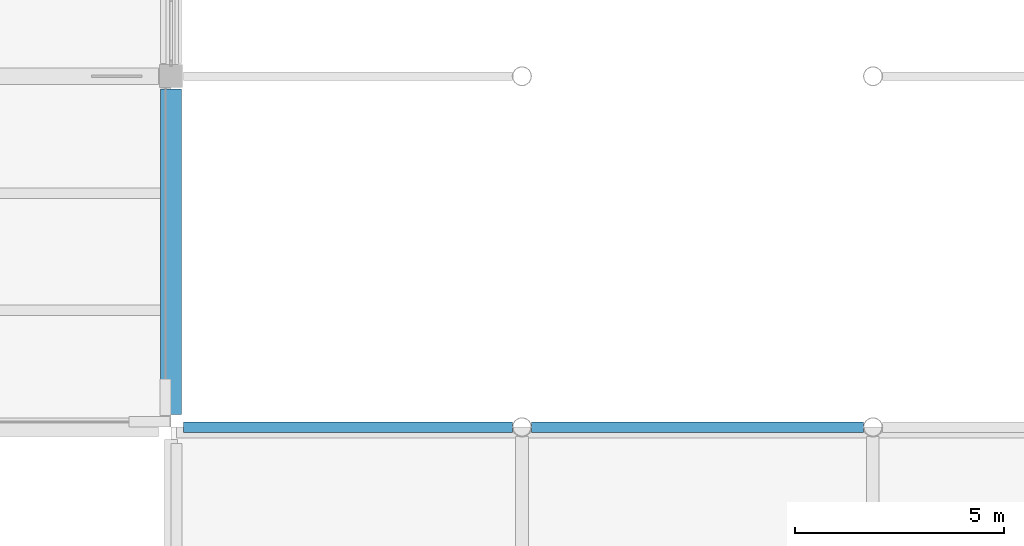
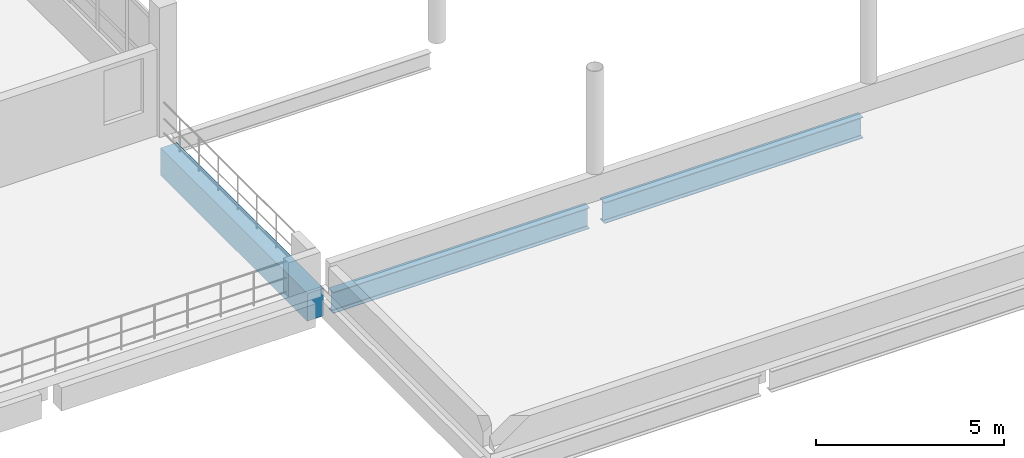
# One storey, part 24 of 130: 3 beams.
"""IFC4 building model written with IfcOpenShell, lengths in metres."""

from ifc_helpers import new_model, si_unit, direction, frame, origin, origin_2d, place, context, subcontext, project, spatial, rectangle, i_section, extrude, material, material_profile, profile_set, type_object, element, save


model = new_model("IFC4")

# Units and contexts
model_context = context("Model", 3, precision=1e-05, world=origin(), true_north=direction((0.0, 1.0)))
body_context = subcontext(model_context, "Body", "Model", "MODEL_VIEW")
ifc_project = project(units=[si_unit("LENGTHUNIT", "METRE"), si_unit("AREAUNIT", "SQUARE_METRE"), si_unit("VOLUMEUNIT", "CUBIC_METRE"), si_unit("PLANEANGLEUNIT", "RADIAN"), si_unit("MASSUNIT", "GRAM", prefix="KILO")], contexts=[model_context])

# Site, building, storey
site_placement = place(None, origin())
site = spatial("IfcSite", under=ifc_project, at=site_placement, CompositionType="ELEMENT")
building_placement = place(site_placement, origin())
building = spatial("IfcBuilding", under=site, at=building_placement, Name="Vireocrest Preparatory School", CompositionType="ELEMENT")
storey_placement = place(building_placement, frame((0.0, 0.0, 9.0)))
storey = spatial("IfcBuildingStorey", under=building, at=storey_placement, Name="L02", CompositionType="ELEMENT", Elevation=9.0)

# Beams
ifc_material_1 = material(Name="Structural steel ASTM A992 Grade 50", Category="steel")
ifc_material_profile_1 = material_profile(ifc_material_1, i_section(OverallWidth=0.25390625, OverallDepth=0.68408203125, WebThickness=0.012451171875, FlangeThickness=0.018798828125, FilletRadius=0.01806640625, at=origin_2d()), Name="W27X94")
ifc_profile_set_1 = profile_set([ifc_material_profile_1], Name="Structural steel ASTM A992 Grade 50")
beam_type_1 = type_object("IfcBeamType", Name="Bridge Primary Steel Girder W27X94", PredefinedType="BEAM", material=ifc_profile_set_1)
beam_1_placement = place(storey_placement, frame((67.5, 27.0, -0.56201171875), z_axis=(1.0, 0.0, 0.0), x_axis=(0.0, 1.0, 0.0)))
element("IfcBeam", 1, at=beam_1_placement, inside=storey, type_object=beam_type_1, Name="Primary Girder SB1 L02-0694", PredefinedType="BEAM", context=body_context, shape_type="SweptSolid", body=[
    extrude(i_section(OverallWidth=0.25390625, OverallDepth=0.68408203125, WebThickness=0.012451171875, FlangeThickness=0.018798828125, FilletRadius=0.01806640625, at=origin_2d()), origin(), (0.0, 0.0, 1.0), 7.871337890625),
])
beam_2_placement = place(storey_placement, frame((75.82861328125, 27.0, -0.56201171875), z_axis=(1.0, 0.0, 0.0), x_axis=(0.0, 1.0, 0.0)))
element("IfcBeam", 2, at=beam_2_placement, inside=storey, type_object=beam_type_1, Name="Primary Girder SB1 L02-0695", PredefinedType="BEAM", context=body_context, shape_type="SweptSolid", body=[
    extrude(i_section(OverallWidth=0.25390625, OverallDepth=0.68408203125, WebThickness=0.012451171875, FlangeThickness=0.018798828125, FilletRadius=0.01806640625, at=origin_2d()), origin(), (0.0, 0.0, 1.0), 7.94287109375),
])
ifc_material_2 = material(Name="Concrete 40 MPa", Category="concrete")
ifc_material_profile_2 = material_profile(ifc_material_2, rectangle(XDim=0.5, YDim=0.89990234375, at=origin_2d()), Name="RC 500x900")
ifc_profile_set_2 = profile_set([ifc_material_profile_2], Name="Concrete 40 MPa")
beam_type_2 = type_object("IfcBeamType", Name="RC Podium Girder 500x900", PredefinedType="BEAM", material=ifc_profile_set_2)
beam_3_placement = place(storey_placement, frame((67.199951171875, 27.300048828125, -0.77001953125), z_axis=(0.0, 1.0, 0.0), x_axis=(-1.0, 0.0, 0.0)))
element("IfcBeam", 3, at=beam_3_placement, inside=storey, type_object=beam_type_2, Name="Primary Girder B15 L02-0818", PredefinedType="BEAM", context=body_context, shape_type="SweptSolid", body=[
    extrude(rectangle(XDim=0.5, YDim=0.89990234375, at=origin_2d()), origin(), (0.0, 0.0, 1.0), 7.800048828125),
])

save(model, "model.ifc")
